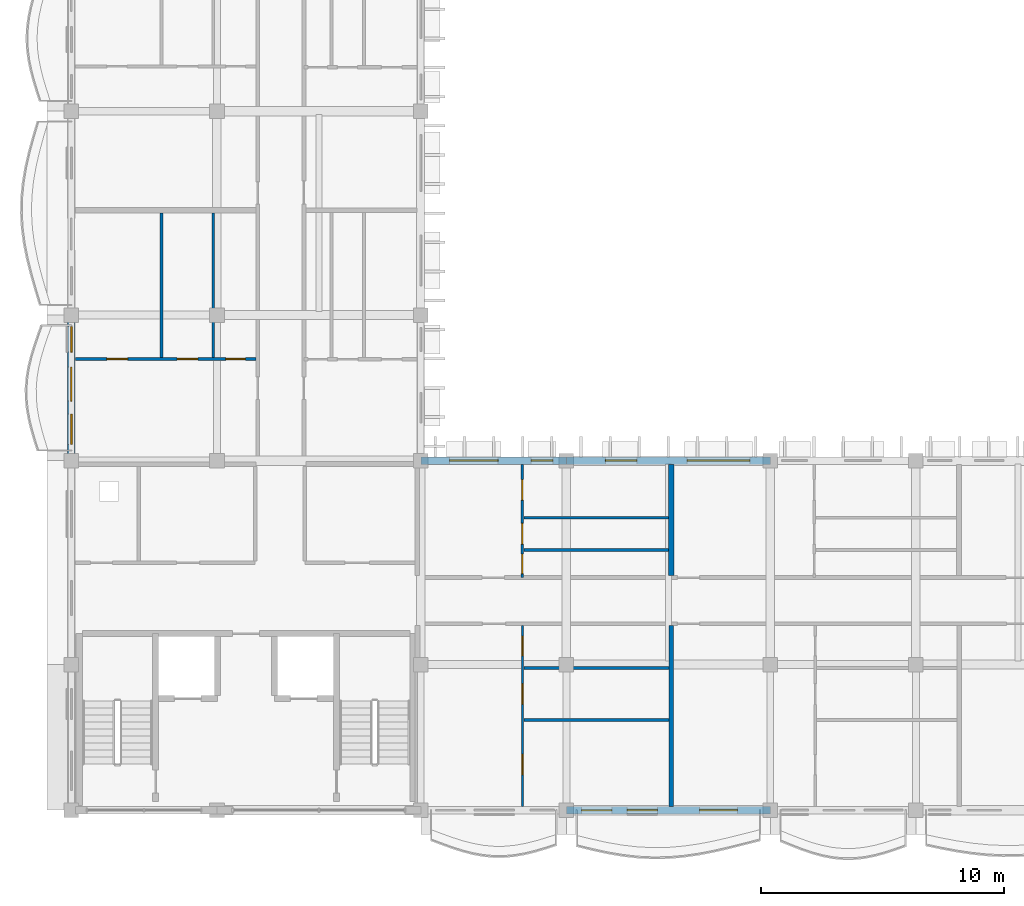
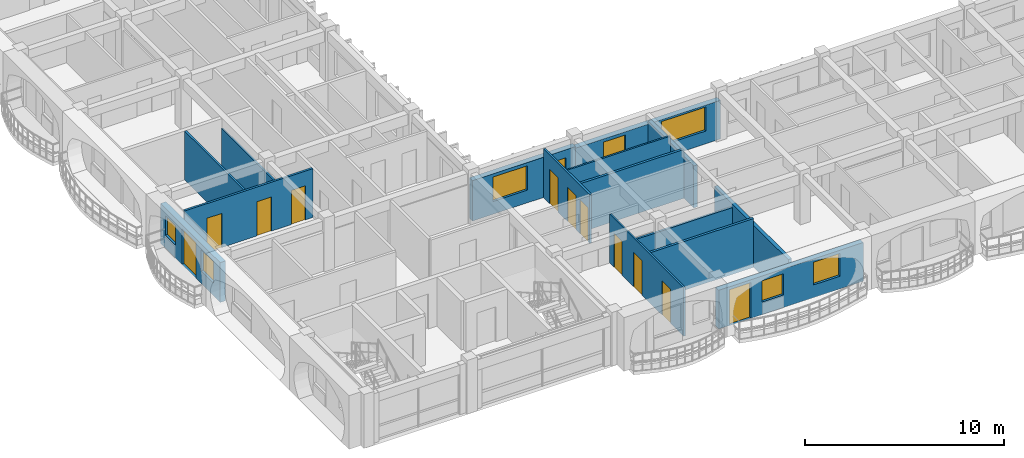
# One storey, part 15 of 70: 15 walls, 11 doors, 8 windows, 19 openings.
"""IFC4 building model written with IfcOpenShell, lengths in metres."""

from ifc_helpers import new_model, si_unit, direction, frame, frame_2d, origin, place, context, subcontext, project, spatial, rectangle, extrude, material, layer, layer_set, type_object, element, fill, save


model = new_model("IFC4")

# Units and contexts
model_context = context("Model", 3, precision=1e-05, world=origin(), true_north=direction((0.0, 1.0)))
body_context = subcontext(model_context, "Body", "Model", "MODEL_VIEW")
ifc_project = project(units=[si_unit("LENGTHUNIT", "METRE"), si_unit("AREAUNIT", "SQUARE_METRE"), si_unit("VOLUMEUNIT", "CUBIC_METRE"), si_unit("PLANEANGLEUNIT", "RADIAN"), si_unit("MASSUNIT", "GRAM", prefix="KILO"), si_unit("THERMODYNAMICTEMPERATUREUNIT", "KELVIN")], contexts=[model_context])

# Site, building, storey
site_placement = place(None, origin())
site = spatial("IfcSite", under=ifc_project, at=site_placement, CompositionType="ELEMENT")
building_placement = place(site_placement, origin())
building = spatial("IfcBuilding", under=site, at=building_placement, Name="Thalorik Housing Commons", CompositionType="ELEMENT")
storey_placement = place(building_placement, frame((0.0, 0.0, 14.699951171875)))
storey = spatial("IfcBuildingStorey", under=building, at=storey_placement, Name="L04", CompositionType="ELEMENT", Elevation=14.699951171875)

# Wall, openings, door, windows
ifc_material_1 = material(Name="White precast concrete C40/50", Category="concrete")
ifc_layer_1 = layer(ifc_material_1, 0.320068359375, Name="White precast concrete C40/50", Category="concrete")
ifc_layer_set_1 = layer_set([ifc_layer_1], Name="White precast concrete C40/50")
wall_type_1 = type_object("IfcWallType", Name="ARC-WAL-EXT-320", PredefinedType="STANDARD", material=ifc_layer_set_1)
wall_1_placement = place(storey_placement, frame((8.39990234375, 28.800048828125, 0.0), z_axis=(0.0, 0.0, 1.0), x_axis=(0.0, -1.0, 0.0)))
wall_1 = element("IfcWall", 1, at=wall_1_placement, inside=storey, type_object=wall_type_1, Name="L04 Exterior Wall WAL-EXT-L04-C-0944", PredefinedType="STANDARD", context=body_context, shape_type="SweptSolid", body=[
    extrude(rectangle(XDim=6.0, YDim=0.320068359375, at=frame_2d((3.0, 0.0))), origin(), (0.0, 0.0, 1.0), 2.445068359375),
])
opening_1_placement = place(wall_1_placement, frame((2.139892578125, 0.0, 0.0)))
opening_1 = element("IfcOpeningElement", 2, at=opening_1_placement, cuts=wall_1, Name="Opening ED-0312", PredefinedType="OPENING", context=body_context, shape_type="SweptSolid", body=[
    extrude(rectangle(XDim=1.39990234375, YDim=2.199951171875, at=frame_2d((0.699951171875, 1.10009765625))), frame((0.0, 0.169921875, 0.0), z_axis=(0.0, -1.0, 0.0), x_axis=(1.0, 0.0, 0.0)), (0.0, 0.0, 1.0), 0.340087890625),
])
opening_2_placement = place(wall_1_placement, frame((0.47509765625, 0.0, 0.780029296875)))
opening_2 = element("IfcOpeningElement", 3, at=opening_2_placement, cuts=wall_1, Name="Opening W-44", PredefinedType="OPENING", context=body_context, shape_type="SweptSolid", body=[
    extrude(rectangle(XDim=1.050048828125, YDim=1.199951171875, at=frame_2d((0.52490234375, 0.60009765625))), frame((0.0, 0.169921875, 0.0), z_axis=(0.0, -1.0, 0.0), x_axis=(1.0, 0.0, 0.0)), (0.0, 0.0, 1.0), 0.340087890625),
])
opening_3_placement = place(wall_1_placement, frame((4.074951171875, 0.0, 0.780029296875)))
opening_3 = element("IfcOpeningElement", 4, at=opening_3_placement, cuts=wall_1, Name="Opening W-46", PredefinedType="OPENING", context=body_context, shape_type="SweptSolid", body=[
    extrude(rectangle(XDim=1.25, YDim=1.300048828125, at=frame_2d((0.625, 0.64990234375))), frame((0.0, 0.169921875, 0.0), z_axis=(0.0, -1.0, 0.0), x_axis=(1.0, 0.0, 0.0)), (0.0, 0.0, 1.0), 0.340087890625),
])
ifc_material_2 = material(Name="Anodised aluminium and laminated safety glass", Category="aluminium")
door_type_1 = type_object("IfcDoorType", Name="ARC-DR-BAL-1400", OperationType="NOTDEFINED", PredefinedType="DOOR", material=ifc_material_2)
door_1_placement = place(opening_1_placement, frame((1.39990234375, 0.0, 0.0), z_axis=(0.0, 0.0, 1.0), x_axis=(-1.0, 0.0, 0.0)))
door_1 = element("IfcDoor", 5, at=door_1_placement, inside=storey, type_object=door_type_1, Name="L04 Block C Balcony Glazed Door", OperationType="SLIDING_TO_LEFT", OverallHeight=2.199951171875, OverallWidth=1.39990234375, PredefinedType="DOOR", context=body_context, shape_type="SweptSolid", body=[
    extrude(rectangle(XDim=1.39990234375, YDim=2.199951171875, at=frame_2d((0.699951171875, 1.10009765625))), frame((0.0, 0.02490234375, 0.0), z_axis=(0.0, -1.0, 0.0), x_axis=(1.0, 0.0, 0.0)), (0.0, 0.0, 1.0), 0.050048828125),
])
fill(opening_1, door_1)
ifc_material_3 = material(Name="Anodised aluminium and solar-control low-E glass", Category="aluminium")
window_type_1 = type_object("IfcWindowType", Name="ARC-WIN-44", PartitioningType="SINGLE_PANEL", PredefinedType="WINDOW", material=ifc_material_3)
window_1_placement = place(opening_2_placement, origin())
window_1 = element("IfcWindow", 6, at=window_1_placement, inside=storey, type_object=window_type_1, Name="L04 Facade Window 1745", OverallHeight=1.199951171875, OverallWidth=1.050048828125, PartitioningType="SINGLE_PANEL", PredefinedType="WINDOW", context=body_context, shape_type="SweptSolid", body=[
    extrude(rectangle(XDim=1.050048828125, YDim=1.199951171875, at=frame_2d((0.52490234375, 0.60009765625))), frame((0.0, 0.030029296875, 0.0), z_axis=(0.0, -1.0, 0.0), x_axis=(1.0, 0.0, 0.0)), (0.0, 0.0, 1.0), 0.06005859375),
])
fill(opening_2, window_1)
window_type_2 = type_object("IfcWindowType", Name="ARC-WIN-46", PartitioningType="SINGLE_PANEL", PredefinedType="WINDOW", material=ifc_material_3)
window_2_placement = place(opening_3_placement, origin())
window_2 = element("IfcWindow", 7, at=window_2_placement, inside=storey, type_object=window_type_2, Name="L04 Facade Window 1746", OverallHeight=1.300048828125, OverallWidth=1.25, PartitioningType="SINGLE_PANEL", PredefinedType="WINDOW", context=body_context, shape_type="SweptSolid", body=[
    extrude(rectangle(XDim=1.25, YDim=1.300048828125, at=frame_2d((0.625, 0.64990234375))), frame((0.0, 0.030029296875, 0.0), z_axis=(0.0, -1.0, 0.0), x_axis=(1.0, 0.0, 0.0)), (0.0, 0.0, 1.0), 0.06005859375),
])
fill(opening_3, window_2)

wall_2_placement = place(storey_placement, frame((28.800048828125, 8.39990234375, 0.0), z_axis=(0.0, 0.0, 1.0), x_axis=(1.0, 0.0, 0.0)))
wall_2 = element("IfcWall", 8, at=wall_2_placement, inside=storey, type_object=wall_type_1, Name="L04 Exterior Wall WAL-EXT-L04-C-0950", PredefinedType="STANDARD", context=body_context, shape_type="SweptSolid", body=[
    extrude(rectangle(XDim=8.39990234375, YDim=0.320068359375, at=frame_2d((4.199951171875, 0.0))), origin(), (0.0, 0.0, 1.0), 2.375),
])
opening_4_placement = place(wall_2_placement, frame((0.6201171875, 0.0, 0.0)))
opening_4 = element("IfcOpeningElement", 9, at=opening_4_placement, cuts=wall_2, Name="Opening ED-0314", PredefinedType="OPENING", context=body_context, shape_type="SweptSolid", body=[
    extrude(rectangle(XDim=1.25, YDim=2.199951171875, at=frame_2d((0.625, 1.10009765625))), frame((0.0, 0.169921875, 0.0), z_axis=(0.0, -1.0, 0.0), x_axis=(1.0, 0.0, 0.0)), (0.0, 0.0, 1.0), 0.340087890625),
])
opening_5_placement = place(wall_2_placement, frame((2.4951171875, 0.0, 0.780029296875)))
opening_5 = element("IfcOpeningElement", 10, at=opening_5_placement, cuts=wall_2, Name="Opening W-46", PredefinedType="OPENING", context=body_context, shape_type="SweptSolid", body=[
    extrude(rectangle(XDim=1.25, YDim=1.300048828125, at=frame_2d((0.625, 0.64990234375))), frame((0.0, 0.169921875, 0.0), z_axis=(0.0, -1.0, 0.0), x_axis=(1.0, 0.0, 0.0)), (0.0, 0.0, 1.0), 0.340087890625),
])
opening_6_placement = place(wall_2_placement, frame((5.489990234375, 0.0, 0.780029296875)))
opening_6 = element("IfcOpeningElement", 11, at=opening_6_placement, cuts=wall_2, Name="Opening W-12", PredefinedType="OPENING", context=body_context, shape_type="SweptSolid", body=[
    extrude(rectangle(XDim=1.550048828125, YDim=1.39990234375, at=frame_2d((0.77490234375, 0.699951171875))), frame((0.0, 0.169921875, 0.0), z_axis=(0.0, -1.0, 0.0), x_axis=(1.0, 0.0, 0.0)), (0.0, 0.0, 1.0), 0.340087890625),
])
door_type_2 = type_object("IfcDoorType", Name="ARC-DR-BAL-1250", OperationType="NOTDEFINED", PredefinedType="DOOR", material=ifc_material_2)
door_2_placement = place(opening_4_placement, frame((1.25, 0.0, 0.0), z_axis=(0.0, 0.0, 1.0), x_axis=(-1.0, 0.0, 0.0)))
door_2 = element("IfcDoor", 12, at=door_2_placement, inside=storey, type_object=door_type_2, Name="L04 Block C Balcony Glazed Door", OperationType="SINGLE_SWING_LEFT", OverallHeight=2.199951171875, OverallWidth=1.25, PredefinedType="DOOR", context=body_context, shape_type="SweptSolid", body=[
    extrude(rectangle(XDim=1.25, YDim=2.199951171875, at=frame_2d((0.625, 1.10009765625))), frame((0.0, 0.02490234375, 0.0), z_axis=(0.0, -1.0, 0.0), x_axis=(1.0, 0.0, 0.0)), (0.0, 0.0, 1.0), 0.050048828125),
])
fill(opening_4, door_2)
window_type_3 = type_object("IfcWindowType", Name="ARC-WIN-12", PartitioningType="SINGLE_PANEL", PredefinedType="WINDOW", material=ifc_material_3)
window_3_placement = place(opening_6_placement, origin())
window_3 = element("IfcWindow", 13, at=window_3_placement, inside=storey, type_object=window_type_3, Name="L04 Facade Window 1754", OverallHeight=1.39990234375, OverallWidth=1.550048828125, PartitioningType="SINGLE_PANEL", PredefinedType="WINDOW", context=body_context, shape_type="SweptSolid", body=[
    extrude(rectangle(XDim=1.550048828125, YDim=1.39990234375, at=frame_2d((0.77490234375, 0.699951171875))), frame((0.0, 0.030029296875, 0.0), z_axis=(0.0, -1.0, 0.0), x_axis=(1.0, 0.0, 0.0)), (0.0, 0.0, 1.0), 0.06005859375),
])
fill(opening_6, window_3)
window_4_placement = place(opening_5_placement, origin())
window_4 = element("IfcWindow", 14, at=window_4_placement, inside=storey, type_object=window_type_2, Name="L04 Facade Window 1753", OverallHeight=1.300048828125, OverallWidth=1.25, PartitioningType="SINGLE_PANEL", PredefinedType="WINDOW", context=body_context, shape_type="SweptSolid", body=[
    extrude(rectangle(XDim=1.25, YDim=1.300048828125, at=frame_2d((0.625, 0.64990234375))), frame((0.0, 0.030029296875, 0.0), z_axis=(0.0, -1.0, 0.0), x_axis=(1.0, 0.0, 0.0)), (0.0, 0.0, 1.0), 0.06005859375),
])
fill(opening_5, window_4)

# Wall, openings, windows
wall_3_placement = place(storey_placement, frame((37.199951171875, 22.800048828125, 0.0), z_axis=(0.0, 0.0, 1.0), x_axis=(-1.0, 0.0, 0.0)))
wall_3 = element("IfcWall", 15, at=wall_3_placement, inside=storey, type_object=wall_type_1, Name="L04 Exterior Wall WAL-EXT-L04-C-0959", PredefinedType="STANDARD", context=body_context, shape_type="SweptSolid", body=[
    extrude(rectangle(XDim=8.39990234375, YDim=0.320068359375, at=frame_2d((4.199951171875, 0.0))), origin(), (0.0, 0.0, 1.0), 2.375),
])
opening_7_placement = place(wall_3_placement, frame((0.844970703125, 0.0, 0.780029296875)))
opening_7 = element("IfcOpeningElement", 16, at=opening_7_placement, cuts=wall_3, Name="Opening W-73", PredefinedType="OPENING", context=body_context, shape_type="SweptSolid", body=[
    extrude(rectangle(XDim=2.580078125, YDim=1.47998046875, at=frame_2d((1.2900390625, 0.739990234375))), frame((0.0, 0.169921875, 0.0), z_axis=(0.0, -1.0, 0.0), x_axis=(1.0, 0.0, 0.0)), (0.0, 0.0, 1.0), 0.340087890625),
])
opening_8_placement = place(wall_3_placement, frame((5.4951171875, 0.0, 0.780029296875)))
opening_8 = element("IfcOpeningElement", 17, at=opening_8_placement, cuts=wall_3, Name="Opening W-06", PredefinedType="OPENING", context=body_context, shape_type="SweptSolid", body=[
    extrude(rectangle(XDim=1.300048828125, YDim=1.39990234375, at=frame_2d((0.64990234375, 0.699951171875))), frame((0.0, 0.169921875, 0.0), z_axis=(0.0, -1.0, 0.0), x_axis=(1.0, 0.0, 0.0)), (0.0, 0.0, 1.0), 0.340087890625),
])
window_type_4 = type_object("IfcWindowType", Name="ARC-WIN-06", PartitioningType="SINGLE_PANEL", PredefinedType="WINDOW", material=ifc_material_3)
window_5_placement = place(opening_8_placement, origin())
window_5 = element("IfcWindow", 18, at=window_5_placement, inside=storey, type_object=window_type_4, Name="L04 Facade Window 1775", OverallHeight=1.39990234375, OverallWidth=1.300048828125, PartitioningType="SINGLE_PANEL", PredefinedType="WINDOW", context=body_context, shape_type="SweptSolid", body=[
    extrude(rectangle(XDim=1.300048828125, YDim=1.39990234375, at=frame_2d((0.64990234375, 0.699951171875))), frame((0.0, 0.030029296875, 0.0), z_axis=(0.0, -1.0, 0.0), x_axis=(1.0, 0.0, 0.0)), (0.0, 0.0, 1.0), 0.06005859375),
])
fill(opening_8, window_5)
window_type_5 = type_object("IfcWindowType", Name="ARC-WIN-73", PartitioningType="DOUBLE_PANEL_VERTICAL", PredefinedType="WINDOW", material=ifc_material_3)
window_6_placement = place(opening_7_placement, origin())
window_6 = element("IfcWindow", 19, at=window_6_placement, inside=storey, type_object=window_type_5, Name="L04 Facade Window 1774", OverallHeight=1.47998046875, OverallWidth=2.580078125, PartitioningType="DOUBLE_PANEL_VERTICAL", PredefinedType="WINDOW", context=body_context, shape_type="SweptSolid", body=[
    extrude(rectangle(XDim=2.580078125, YDim=1.47998046875, at=frame_2d((1.2900390625, 0.739990234375))), frame((0.0, 0.030029296875, 0.0), z_axis=(0.0, -1.0, 0.0), x_axis=(1.0, 0.0, 0.0)), (0.0, 0.0, 1.0), 0.06005859375),
])
fill(opening_7, window_6)

wall_4_placement = place(storey_placement, frame((28.800048828125, 22.800048828125, 0.0), z_axis=(0.0, 0.0, 1.0), x_axis=(-1.0, 0.0, 0.0)))
wall_4 = element("IfcWall", 20, at=wall_4_placement, inside=storey, type_object=wall_type_1, Name="L04 Exterior Wall WAL-EXT-L04-C-0960", PredefinedType="STANDARD", context=body_context, shape_type="SweptSolid", body=[
    extrude(rectangle(XDim=6.0, YDim=0.320068359375, at=frame_2d((3.0, 0.0))), origin(), (0.0, 0.0, 1.0), 2.47509765625),
])
opening_9_placement = place(wall_4_placement, frame((0.5546875, 0.0, 0.780029296875)))
opening_9 = element("IfcOpeningElement", 21, at=opening_9_placement, cuts=wall_4, Name="Opening W-01", PredefinedType="OPENING", context=body_context, shape_type="SweptSolid", body=[
    extrude(rectangle(XDim=0.89990234375, YDim=1.199951171875, at=frame_2d((0.449951171875, 0.60009765625))), frame((0.0, 0.169921875, 0.0), z_axis=(0.0, -1.0, 0.0), x_axis=(1.0, 0.0, 0.0)), (0.0, 0.0, 1.0), 0.340087890625),
])
opening_10_placement = place(wall_4_placement, frame((2.814697265625, 0.0, 0.780029296875)))
opening_10 = element("IfcOpeningElement", 22, at=opening_10_placement, cuts=wall_4, Name="Opening W-23", PredefinedType="OPENING", context=body_context, shape_type="SweptSolid", body=[
    extrude(rectangle(XDim=2.0, YDim=1.5, at=frame_2d((1.0, 0.75))), frame((0.0, 0.169921875, 0.0), z_axis=(0.0, -1.0, 0.0), x_axis=(1.0, 0.0, 0.0)), (0.0, 0.0, 1.0), 0.340087890625),
])
window_type_6 = type_object("IfcWindowType", Name="ARC-WIN-01", PartitioningType="SINGLE_PANEL", PredefinedType="WINDOW", material=ifc_material_3)
window_7_placement = place(opening_9_placement, origin())
window_7 = element("IfcWindow", 23, at=window_7_placement, inside=storey, type_object=window_type_6, Name="L04 Facade Window 1776", OverallHeight=1.199951171875, OverallWidth=0.89990234375, PartitioningType="SINGLE_PANEL", PredefinedType="WINDOW", context=body_context, shape_type="SweptSolid", body=[
    extrude(rectangle(XDim=0.89990234375, YDim=1.199951171875, at=frame_2d((0.449951171875, 0.60009765625))), frame((0.0, 0.030029296875, 0.0), z_axis=(0.0, -1.0, 0.0), x_axis=(1.0, 0.0, 0.0)), (0.0, 0.0, 1.0), 0.06005859375),
])
fill(opening_9, window_7)
window_type_7 = type_object("IfcWindowType", Name="ARC-WIN-23", PartitioningType="DOUBLE_PANEL_VERTICAL", PredefinedType="WINDOW", material=ifc_material_3)
window_8_placement = place(opening_10_placement, origin())
window_8 = element("IfcWindow", 24, at=window_8_placement, inside=storey, type_object=window_type_7, Name="L04 Facade Window 1777", OverallHeight=1.5, OverallWidth=2.0, PartitioningType="DOUBLE_PANEL_VERTICAL", PredefinedType="WINDOW", context=body_context, shape_type="SweptSolid", body=[
    extrude(rectangle(XDim=2.0, YDim=1.5, at=frame_2d((1.0, 0.75))), frame((0.0, 0.030029296875, 0.0), z_axis=(0.0, -1.0, 0.0), x_axis=(1.0, 0.0, 0.0)), (0.0, 0.0, 1.0), 0.06005859375),
])
fill(opening_10, window_8)

# Wall
ifc_material_4 = material(Name="Gypsum light stud partition", Category="masonry")
ifc_layer_2 = layer(ifc_material_4, 0.10009765625, Name="Gypsum light stud partition", Category="masonry")
ifc_layer_set_2 = layer_set([ifc_layer_2], Name="Gypsum light stud partition")
wall_type_2 = type_object("IfcWallType", Name="ARC-WAL-PART-100", PredefinedType="PARTITIONING", material=ifc_layer_set_2)
wall_5_placement = place(storey_placement, frame((14.251220703125, 27.054443359375, 0.0), z_axis=(0.0, 0.0, 1.0), x_axis=(0.0, 1.0, 0.0)))
element("IfcWall", 25, at=wall_5_placement, inside=storey, type_object=wall_type_2, Name="L04 Unit 1 Wet Wall", PredefinedType="PARTITIONING", context=body_context, shape_type="SweptSolid", body=[
    extrude(rectangle(XDim=5.95361328125, YDim=0.10009765625, at=frame_2d((2.976806640625, 0.0))), origin(), (0.0, 0.0, 1.0), 2.425048828125),
])

# Wall, openings, doors
wall_6_placement = place(storey_placement, frame((26.989990234375, 8.56201171875, 0.0), z_axis=(0.0, 0.0, 1.0), x_axis=(0.0, 1.0, 0.0)))
wall_6 = element("IfcWall", 26, at=wall_6_placement, inside=storey, type_object=wall_type_2, Name="L04 Unit 1 Spine Partition", PredefinedType="PARTITIONING", context=body_context, shape_type="SweptSolid", body=[
    extrude(rectangle(XDim=7.44091796875, YDim=0.10009765625, at=frame_2d((3.720458984375, 0.0))), origin(), (0.0, 0.0, 1.0), 3.0),
])
opening_11_placement = place(wall_6_placement, frame((1.3017578125, 0.0, 0.0)))
opening_11 = element("IfcOpeningElement", 27, at=opening_11_placement, cuts=wall_6, Name="Opening ID-1722", PredefinedType="OPENING", context=body_context, shape_type="SweptSolid", body=[
    extrude(rectangle(XDim=0.85009765625, YDim=2.10009765625, at=frame_2d((0.425048828125, 1.050048828125))), frame((0.0, 0.06005859375, 0.0), z_axis=(0.0, -1.0, 0.0), x_axis=(1.0, 0.0, 0.0)), (0.0, 0.0, 1.0), 0.1201171875),
])
opening_12_placement = place(wall_6_placement, frame((4.197509765625, 0.0, 0.0)))
opening_12 = element("IfcOpeningElement", 28, at=opening_12_placement, cuts=wall_6, Name="Opening ID-1723", PredefinedType="OPENING", context=body_context, shape_type="SweptSolid", body=[
    extrude(rectangle(XDim=0.85009765625, YDim=2.10009765625, at=frame_2d((0.425048828125, 1.050048828125))), frame((0.0, 0.06005859375, 0.0), z_axis=(0.0, -1.0, 0.0), x_axis=(1.0, 0.0, 0.0)), (0.0, 0.0, 1.0), 0.1201171875),
])
opening_13_placement = place(wall_6_placement, frame((6.20361328125, 0.0, 0.0)))
opening_13 = element("IfcOpeningElement", 29, at=opening_13_placement, cuts=wall_6, Name="Opening ID-1724", PredefinedType="OPENING", context=body_context, shape_type="SweptSolid", body=[
    extrude(rectangle(XDim=0.800048828125, YDim=2.10009765625, at=frame_2d((0.39990234375, 1.050048828125))), frame((0.0, 0.06005859375, 0.0), z_axis=(0.0, -1.0, 0.0), x_axis=(1.0, 0.0, 0.0)), (0.0, 0.0, 1.0), 0.1201171875),
])
ifc_material_5 = material(Name="Moisture-resistant timber", Category="wood")
door_type_3 = type_object("IfcDoorType", Name="ARC-DR-INT-800", OperationType="NOTDEFINED", PredefinedType="DOOR", material=ifc_material_5)
door_3_placement = place(opening_13_placement, origin())
door_3 = element("IfcDoor", 30, at=door_3_placement, inside=storey, type_object=door_type_3, Name="L04 Accessible Bathroom Door", OperationType="SINGLE_SWING_LEFT", OverallHeight=2.10009765625, OverallWidth=0.800048828125, PredefinedType="DOOR", context=body_context, shape_type="SweptSolid", body=[
    extrude(rectangle(XDim=0.800048828125, YDim=2.10009765625, at=frame_2d((0.39990234375, 1.050048828125))), frame((0.0, 0.02490234375, 0.0), z_axis=(0.0, -1.0, 0.0), x_axis=(1.0, 0.0, 0.0)), (0.0, 0.0, 1.0), 0.050048828125),
])
fill(opening_13, door_3)
ifc_material_6 = material(Name="Engineered oak timber", Category="wood")
door_type_4 = type_object("IfcDoorType", Name="ARC-DR-INT-850", OperationType="NOTDEFINED", PredefinedType="DOOR", material=ifc_material_6)
door_4_placement = place(opening_11_placement, origin())
door_4 = element("IfcDoor", 31, at=door_4_placement, inside=storey, type_object=door_type_4, Name="L04 Double Bedroom Door", OperationType="SINGLE_SWING_LEFT", OverallHeight=2.10009765625, OverallWidth=0.85009765625, PredefinedType="DOOR", context=body_context, shape_type="SweptSolid", body=[
    extrude(rectangle(XDim=0.85009765625, YDim=2.10009765625, at=frame_2d((0.425048828125, 1.050048828125))), frame((0.0, 0.02490234375, 0.0), z_axis=(0.0, -1.0, 0.0), x_axis=(1.0, 0.0, 0.0)), (0.0, 0.0, 1.0), 0.050048828125),
])
fill(opening_11, door_4)
door_5_placement = place(opening_12_placement, origin())
door_5 = element("IfcDoor", 32, at=door_5_placement, inside=storey, type_object=door_type_4, Name="L04 Eat-In Kitchen Door", OperationType="SINGLE_SWING_RIGHT", OverallHeight=2.10009765625, OverallWidth=0.85009765625, PredefinedType="DOOR", context=body_context, shape_type="SweptSolid", body=[
    extrude(rectangle(XDim=0.85009765625, YDim=2.10009765625, at=frame_2d((0.425048828125, 1.050048828125))), frame((0.0, 0.02490234375, 0.0), z_axis=(0.0, -1.0, 0.0), x_axis=(1.0, 0.0, 0.0)), (0.0, 0.0, 1.0), 0.050048828125),
])
fill(opening_12, door_5)

# Walls
wall_7_placement = place(storey_placement, frame((27.040283203125, 20.455078125, 0.0), z_axis=(0.0, 0.0, 1.0), x_axis=(1.0, 0.0, 0.0)))
element("IfcWall", 33, at=wall_7_placement, inside=storey, type_object=wall_type_2, Name="L04 Unit 1B Bedroom Partition", PredefinedType="PARTITIONING", context=body_context, shape_type="SweptSolid", body=[
    extrude(rectangle(XDim=5.9677734375, YDim=0.10009765625, at=frame_2d((2.98388671875, 0.0))), origin(), (0.0, 0.0, 1.0), 3.0),
])
ifc_material_7 = material(Name="Gypsum moisture-resistant partition", Category="masonry")
ifc_layer_3 = layer(ifc_material_7, 0.114990234375, Name="Gypsum moisture-resistant partition", Category="masonry")
ifc_layer_set_3 = layer_set([ifc_layer_3], Name="Gypsum moisture-resistant partition")
wall_type_3 = type_object("IfcWallType", Name="ARC-WAL-PART-115", PredefinedType="PARTITIONING", material=ifc_layer_set_3)
wall_8_placement = place(storey_placement, frame((12.11767578125, 27.054443359375, 0.0), z_axis=(0.0, 0.0, 1.0), x_axis=(0.0, 1.0, 0.0)))
element("IfcWall", 34, at=wall_8_placement, inside=storey, type_object=wall_type_3, Name="L04 Unit 1 Bedroom Partition", PredefinedType="PARTITIONING", context=body_context, shape_type="SweptSolid", body=[
    extrude(rectangle(XDim=5.95361328125, YDim=0.114990234375, at=frame_2d((2.976806640625, 0.0))), origin(), (0.0, 0.0, 1.0), 3.0),
])

# Wall, openings, doors
wall_9_placement = place(storey_placement, frame((26.980712890625, 17.97998046875, 0.0), z_axis=(0.0, 0.0, 1.0), x_axis=(0.0, 1.0, 0.0)))
wall_9 = element("IfcWall", 35, at=wall_9_placement, inside=storey, type_object=wall_type_3, Name="L04 Unit 1B Spine Partition", PredefinedType="PARTITIONING", context=body_context, shape_type="SweptSolid", body=[
    extrude(rectangle(XDim=4.657958984375, YDim=0.114990234375, at=frame_2d((2.3291015625, 0.0))), origin(), (0.0, 0.0, 1.0), 3.0),
])
opening_14_placement = place(wall_9_placement, frame((0.171142578125, 0.0, 0.0)))
opening_14 = element("IfcOpeningElement", 36, at=opening_14_placement, cuts=wall_9, Name="Opening ID-1725", PredefinedType="OPENING", context=body_context, shape_type="SweptSolid", body=[
    extrude(rectangle(XDim=0.800048828125, YDim=2.10009765625, at=frame_2d((0.39990234375, 1.050048828125))), frame((0.0, 0.0673828125, 0.0), z_axis=(0.0, -1.0, 0.0), x_axis=(1.0, 0.0, 0.0)), (0.0, 0.0, 1.0), 0.135009765625),
])
opening_15_placement = place(wall_9_placement, frame((1.3837890625, 0.0, 0.0)))
opening_15 = element("IfcOpeningElement", 37, at=opening_15_placement, cuts=wall_9, Name="Opening ID-1726", PredefinedType="OPENING", context=body_context, shape_type="SweptSolid", body=[
    extrude(rectangle(XDim=0.85009765625, YDim=2.10009765625, at=frame_2d((0.425048828125, 1.050048828125))), frame((0.0, 0.0673828125, 0.0), z_axis=(0.0, -1.0, 0.0), x_axis=(1.0, 0.0, 0.0)), (0.0, 0.0, 1.0), 0.135009765625),
])
opening_16_placement = place(wall_9_placement, frame((3.192626953125, 0.0, 0.0)))
opening_16 = element("IfcOpeningElement", 38, at=opening_16_placement, cuts=wall_9, Name="Opening ID-1727", PredefinedType="OPENING", context=body_context, shape_type="SweptSolid", body=[
    extrude(rectangle(XDim=0.85009765625, YDim=2.10009765625, at=frame_2d((0.425048828125, 1.050048828125))), frame((0.0, 0.0673828125, 0.0), z_axis=(0.0, -1.0, 0.0), x_axis=(1.0, 0.0, 0.0)), (0.0, 0.0, 1.0), 0.135009765625),
])
door_6_placement = place(opening_14_placement, origin())
door_6 = element("IfcDoor", 39, at=door_6_placement, inside=storey, type_object=door_type_3, Name="L04 Flat Bathroom Door", OperationType="SINGLE_SWING_RIGHT", OverallHeight=2.10009765625, OverallWidth=0.800048828125, PredefinedType="DOOR", context=body_context, shape_type="SweptSolid", body=[
    extrude(rectangle(XDim=0.800048828125, YDim=2.10009765625, at=frame_2d((0.39990234375, 1.050048828125))), frame((0.0, 0.02490234375, 0.0), z_axis=(0.0, -1.0, 0.0), x_axis=(1.0, 0.0, 0.0)), (0.0, 0.0, 1.0), 0.050048828125),
])
fill(opening_14, door_6)
door_7_placement = place(opening_15_placement, origin())
door_7 = element("IfcDoor", 40, at=door_7_placement, inside=storey, type_object=door_type_4, Name="L04 Eat-In Kitchen Door", OperationType="SINGLE_SWING_LEFT", OverallHeight=2.10009765625, OverallWidth=0.85009765625, PredefinedType="DOOR", context=body_context, shape_type="SweptSolid", body=[
    extrude(rectangle(XDim=0.85009765625, YDim=2.10009765625, at=frame_2d((0.425048828125, 1.050048828125))), frame((0.0, 0.02490234375, 0.0), z_axis=(0.0, -1.0, 0.0), x_axis=(1.0, 0.0, 0.0)), (0.0, 0.0, 1.0), 0.050048828125),
])
fill(opening_15, door_7)
door_8_placement = place(opening_16_placement, origin())
door_8 = element("IfcDoor", 41, at=door_8_placement, inside=storey, type_object=door_type_4, Name="L04 Master Bedroom Door", OperationType="SINGLE_SWING_RIGHT", OverallHeight=2.10009765625, OverallWidth=0.85009765625, PredefinedType="DOOR", context=body_context, shape_type="SweptSolid", body=[
    extrude(rectangle(XDim=0.85009765625, YDim=2.10009765625, at=frame_2d((0.425048828125, 1.050048828125))), frame((0.0, 0.02490234375, 0.0), z_axis=(0.0, -1.0, 0.0), x_axis=(1.0, 0.0, 0.0)), (0.0, 0.0, 1.0), 0.050048828125),
])
fill(opening_16, door_8)

ifc_material_8 = material(Name="Gypsum acoustic stud partition", Category="masonry")
ifc_layer_4 = layer(ifc_material_8, 0.125, Name="Gypsum acoustic stud partition", Category="masonry")
ifc_layer_set_4 = layer_set([ifc_layer_4], Name="Gypsum acoustic stud partition")
wall_type_4 = type_object("IfcWallType", Name="ARC-WAL-PART-125", PredefinedType="PARTITIONING", material=ifc_layer_set_4)
wall_10_placement = place(storey_placement, frame((8.56201171875, 26.989990234375, 0.0), z_axis=(0.0, 0.0, 1.0), x_axis=(1.0, 0.0, 0.0)))
wall_10 = element("IfcWall", 42, at=wall_10_placement, inside=storey, type_object=wall_type_4, Name="L04 Unit 1 Spine Partition", PredefinedType="PARTITIONING", context=body_context, shape_type="SweptSolid", body=[
    extrude(rectangle(XDim=7.44091796875, YDim=0.125, at=frame_2d((3.720458984375, 0.0))), origin(), (0.0, 0.0, 1.0), 3.0),
])
opening_17_placement = place(wall_10_placement, frame((1.3017578125, 0.0, 0.0)))
opening_17 = element("IfcOpeningElement", 43, at=opening_17_placement, cuts=wall_10, Name="Opening ID-1698", PredefinedType="OPENING", context=body_context, shape_type="SweptSolid", body=[
    extrude(rectangle(XDim=0.85009765625, YDim=2.10009765625, at=frame_2d((0.425048828125, 1.050048828125))), frame((0.0, 0.072509765625, 0.0), z_axis=(0.0, -1.0, 0.0), x_axis=(1.0, 0.0, 0.0)), (0.0, 0.0, 1.0), 0.14501953125),
])
opening_18_placement = place(wall_10_placement, frame((4.197509765625, 0.0, 0.0)))
opening_18 = element("IfcOpeningElement", 44, at=opening_18_placement, cuts=wall_10, Name="Opening ID-1699", PredefinedType="OPENING", context=body_context, shape_type="SweptSolid", body=[
    extrude(rectangle(XDim=0.85009765625, YDim=2.10009765625, at=frame_2d((0.425048828125, 1.050048828125))), frame((0.0, 0.072509765625, 0.0), z_axis=(0.0, -1.0, 0.0), x_axis=(1.0, 0.0, 0.0)), (0.0, 0.0, 1.0), 0.14501953125),
])
opening_19_placement = place(wall_10_placement, frame((6.20361328125, 0.0, 0.0)))
opening_19 = element("IfcOpeningElement", 45, at=opening_19_placement, cuts=wall_10, Name="Opening ID-1700", PredefinedType="OPENING", context=body_context, shape_type="SweptSolid", body=[
    extrude(rectangle(XDim=0.800048828125, YDim=2.10009765625, at=frame_2d((0.39990234375, 1.050048828125))), frame((0.0, 0.072509765625, 0.0), z_axis=(0.0, -1.0, 0.0), x_axis=(1.0, 0.0, 0.0)), (0.0, 0.0, 1.0), 0.14501953125),
])
door_9_placement = place(opening_19_placement, origin())
door_9 = element("IfcDoor", 46, at=door_9_placement, inside=storey, type_object=door_type_3, Name="L04 Accessible Bathroom Door", OperationType="SINGLE_SWING_LEFT", OverallHeight=2.10009765625, OverallWidth=0.800048828125, PredefinedType="DOOR", context=body_context, shape_type="SweptSolid", body=[
    extrude(rectangle(XDim=0.800048828125, YDim=2.10009765625, at=frame_2d((0.39990234375, 1.050048828125))), frame((0.0, 0.02490234375, 0.0), z_axis=(0.0, -1.0, 0.0), x_axis=(1.0, 0.0, 0.0)), (0.0, 0.0, 1.0), 0.050048828125),
])
fill(opening_19, door_9)
door_10_placement = place(opening_17_placement, origin())
door_10 = element("IfcDoor", 47, at=door_10_placement, inside=storey, type_object=door_type_4, Name="L04 Double Bedroom Door", OperationType="SINGLE_SWING_LEFT", OverallHeight=2.10009765625, OverallWidth=0.85009765625, PredefinedType="DOOR", context=body_context, shape_type="SweptSolid", body=[
    extrude(rectangle(XDim=0.85009765625, YDim=2.10009765625, at=frame_2d((0.425048828125, 1.050048828125))), frame((0.0, 0.02490234375, 0.0), z_axis=(0.0, -1.0, 0.0), x_axis=(1.0, 0.0, 0.0)), (0.0, 0.0, 1.0), 0.050048828125),
])
fill(opening_17, door_10)
door_11_placement = place(opening_18_placement, origin())
door_11 = element("IfcDoor", 48, at=door_11_placement, inside=storey, type_object=door_type_4, Name="L04 Eat-In Kitchen Door", OperationType="SINGLE_SWING_RIGHT", OverallHeight=2.10009765625, OverallWidth=0.85009765625, PredefinedType="DOOR", context=body_context, shape_type="SweptSolid", body=[
    extrude(rectangle(XDim=0.85009765625, YDim=2.10009765625, at=frame_2d((0.425048828125, 1.050048828125))), frame((0.0, 0.02490234375, 0.0), z_axis=(0.0, -1.0, 0.0), x_axis=(1.0, 0.0, 0.0)), (0.0, 0.0, 1.0), 0.050048828125),
])
fill(opening_18, door_11)

# Walls
wall_11_placement = place(storey_placement, frame((27.0419921875, 14.251220703125, 0.0), z_axis=(0.0, 0.0, 1.0), x_axis=(1.0, 0.0, 0.0)))
element("IfcWall", 49, at=wall_11_placement, inside=storey, type_object=wall_type_4, Name="L04 Unit 1 Wet Wall", PredefinedType="PARTITIONING", context=body_context, shape_type="SweptSolid", body=[
    extrude(rectangle(XDim=5.97607421875, YDim=0.125, at=frame_2d((2.988037109375, 0.0))), origin(), (0.0, 0.0, 1.0), 2.375),
])
ifc_material_9 = material(Name="Ceramic masonry partition wall", Category="masonry")
ifc_layer_5 = layer(ifc_material_9, 0.139892578125, Name="Ceramic masonry partition wall", Category="masonry")
ifc_layer_set_5 = layer_set([ifc_layer_5], Name="Ceramic masonry partition wall")
wall_type_5 = type_object("IfcWallType", Name="ARC-WAL-PART-140", PredefinedType="PARTITIONING", material=ifc_layer_set_5)
wall_12_placement = place(storey_placement, frame((27.0419921875, 12.11767578125, 0.0), z_axis=(0.0, 0.0, 1.0), x_axis=(1.0, 0.0, 0.0)))
element("IfcWall", 50, at=wall_12_placement, inside=storey, type_object=wall_type_5, Name="L04 Unit 1 Bedroom Partition", PredefinedType="PARTITIONING", context=body_context, shape_type="SweptSolid", body=[
    extrude(rectangle(XDim=5.97607421875, YDim=0.139892578125, at=frame_2d((2.988037109375, 0.0))), origin(), (0.0, 0.0, 1.0), 3.0),
])
wall_13_placement = place(storey_placement, frame((27.040283203125, 19.122314453125, 0.0), z_axis=(0.0, 0.0, 1.0), x_axis=(1.0, 0.0, 0.0)))
element("IfcWall", 51, at=wall_13_placement, inside=storey, type_object=wall_type_5, Name="L04 Unit 1B Wet Wall", PredefinedType="PARTITIONING", context=body_context, shape_type="SweptSolid", body=[
    extrude(rectangle(XDim=5.9677734375, YDim=0.139892578125, at=frame_2d((2.98388671875, 0.0))), origin(), (0.0, 0.0, 1.0), 3.0),
])
ifc_material_10 = material(Name="Precast concrete C40/50 acoustic wall", Category="concrete")
ifc_layer_6 = layer(ifc_material_10, 0.199951171875, Name="Precast concrete C40/50 acoustic wall", Category="concrete")
ifc_layer_set_6 = layer_set([ifc_layer_6], Name="Precast concrete C40/50 acoustic wall")
wall_type_6 = type_object("IfcWallType", Name="ARC-WAL-PARTY-200", PredefinedType="PARTITIONING", material=ifc_layer_set_6)
wall_14_placement = place(storey_placement, frame((33.1201171875, 8.56201171875, 0.0), z_axis=(0.0, 0.0, 1.0), x_axis=(0.0, 1.0, 0.0)))
element("IfcWall", 52, at=wall_14_placement, inside=storey, type_object=wall_type_6, Name="L04 Inter-Tenancy Wall 1A", PredefinedType="PARTITIONING", context=body_context, shape_type="SweptSolid", body=[
    extrude(rectangle(XDim=7.44091796875, YDim=0.199951171875, at=frame_2d((3.720458984375, 0.0))), origin(), (0.0, 0.0, 1.0), 2.5849609375),
])
ifc_layer_7 = layer(ifc_material_10, 0.219970703125, Name="Precast concrete C40/50 acoustic wall", Category="concrete")
ifc_layer_set_7 = layer_set([ifc_layer_7], Name="Precast concrete C40/50 acoustic wall")
wall_type_7 = type_object("IfcWallType", Name="ARC-WAL-PARTY-220", PredefinedType="PARTITIONING", material=ifc_layer_set_7)
wall_15_placement = place(storey_placement, frame((33.1201171875, 18.064453125, 0.0), z_axis=(0.0, 0.0, 1.0), x_axis=(0.0, 1.0, 0.0)))
element("IfcWall", 53, at=wall_15_placement, inside=storey, type_object=wall_type_7, Name="L04 Inter-Tenancy Wall 1B", PredefinedType="PARTITIONING", context=body_context, shape_type="SweptSolid", body=[
    extrude(rectangle(XDim=4.573486328125, YDim=0.219970703125, at=frame_2d((2.28662109375, 0.0))), origin(), (0.0, 0.0, 1.0), 2.5849609375),
])

save(model, "model.ifc")
